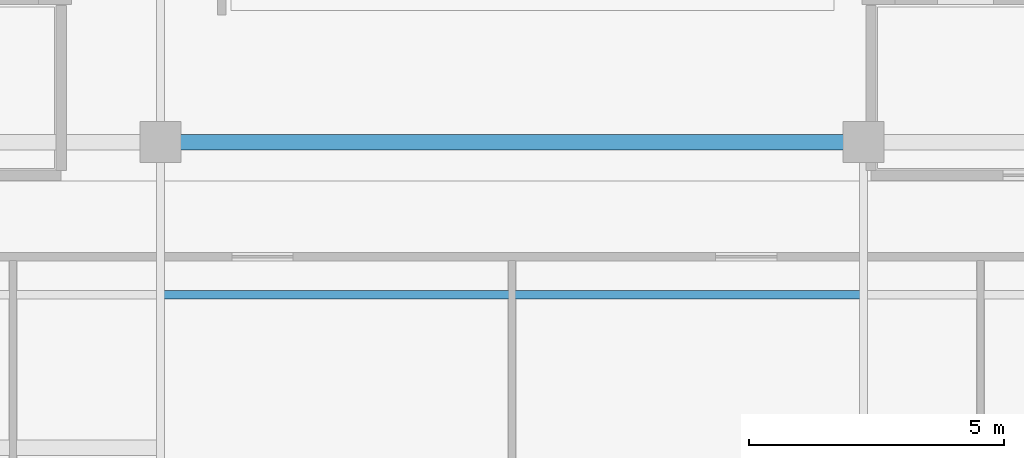
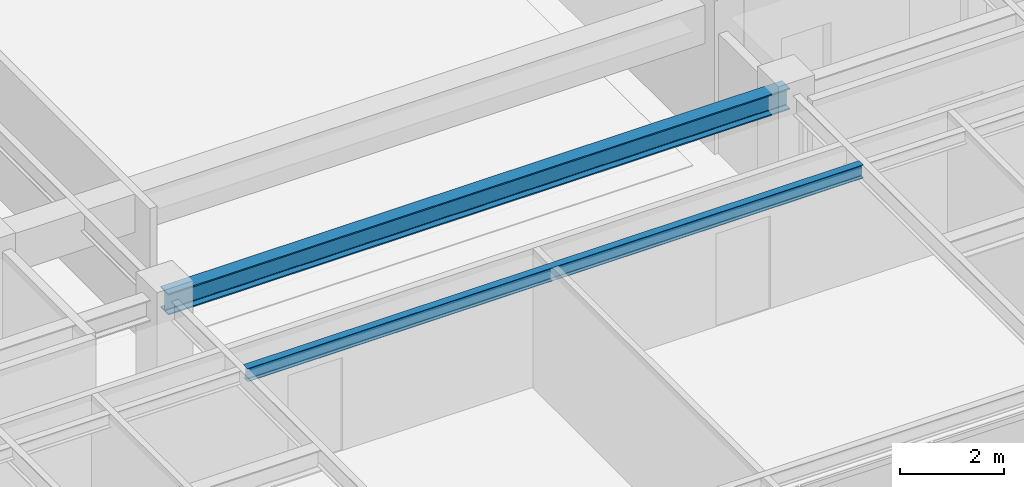
# One storey, part 6 of 25: 2 beams.
"""IFC4 building model written with IfcOpenShell, lengths in metres."""

from ifc_helpers import new_model, si_unit, direction, frame, origin, origin_2d, place, context, subcontext, project, spatial, i_section, extrude, source, transform, mapped, material, material_profile, profile_set, type_object, element, save


model = new_model("IFC4")

# Units and contexts
model_context = context("Model", 3, precision=1e-05, world=origin(), true_north=direction((0.0, 1.0)))
body_context = subcontext(model_context, "Body", "Model", "MODEL_VIEW")
ifc_project = project(units=[si_unit("LENGTHUNIT", "METRE"), si_unit("AREAUNIT", "SQUARE_METRE"), si_unit("VOLUMEUNIT", "CUBIC_METRE"), si_unit("PLANEANGLEUNIT", "RADIAN"), si_unit("MASSUNIT", "GRAM", prefix="KILO")], contexts=[model_context])

# Site, building, storey
site_placement = place(None, origin())
site = spatial("IfcSite", under=ifc_project, at=site_placement, CompositionType="ELEMENT")
building_placement = place(site_placement, origin())
building = spatial("IfcBuilding", under=site, at=building_placement, Name="Khoralis Quay Care Tower", CompositionType="ELEMENT")
storey_placement = place(building_placement, frame((0.0, 0.0, 216.89990234375)))
storey = spatial("IfcBuildingStorey", under=building, at=storey_placement, Name="L57", CompositionType="ELEMENT", Elevation=216.89990234375)

# Beams
ifc_material = material(Name="Steel S355", Category="steel")
ifc_material_profile_1 = material_profile(ifc_material, i_section(OverallWidth=0.300048828125, OverallDepth=0.5, WebThickness=0.014404296875, FlangeThickness=0.028076171875, FilletRadius=0.027099609375, at=origin_2d()), Name="Steel S355")
ifc_profile_set_1 = profile_set([ifc_material_profile_1], Name="Steel S355")
beam_type_1 = type_object("IfcBeamType", Name="BM-HEB500", PredefinedType="BEAM", material=ifc_profile_set_1)
shared_shape_1 = source(origin(), body_context, "Body", "SweptSolid", [
    extrude(i_section(OverallWidth=0.300048828125, OverallDepth=0.5, WebThickness=0.014404296875, FlangeThickness=0.028076171875, FilletRadius=0.027099609375, at=origin_2d()), origin(), (0.0, 0.0, 1.0), 13.7998046875),
])
beam_1_placement = place(storey_placement, frame((17.10009765625, 12.0, 3.030029296875), z_axis=(1.0, 0.0, 0.0), x_axis=(0.0, 1.0, 0.0)))
element("IfcBeam", 1, at=beam_1_placement, inside=storey, type_object=beam_type_1, Name="BM-TGCC-L57-120", PredefinedType="BEAM", context=body_context, shape_type="MappedRepresentation", body=[
    mapped(shared_shape_1, transform((0.0, 0.0, 0.0), scale=1.0)),
])
ifc_material_profile_2 = material_profile(ifc_material, i_section(OverallWidth=0.1650390625, OverallDepth=0.31005859375, WebThickness=0.005859375, FlangeThickness=0.009765625, FilletRadius=0.011962890625, at=origin_2d()), Name="Steel S355")
ifc_profile_set_2 = profile_set([ifc_material_profile_2], Name="Steel S355")
beam_type_2 = type_object("IfcBeamType", Name="BM-W310X39", PredefinedType="JOIST", material=ifc_profile_set_2)
shared_shape_2 = source(origin(), body_context, "Body", "SweptSolid", [
    extrude(i_section(OverallWidth=0.1650390625, OverallDepth=0.31005859375, WebThickness=0.005859375, FlangeThickness=0.009765625, FilletRadius=0.011962890625, at=origin_2d()), origin(), (0.0, 0.0, 1.0), 13.669921875),
])
beam_2_placement = place(storey_placement, frame((17.1650390625, 9.0, 3.125), z_axis=(1.0, 0.0, 0.0), x_axis=(0.0, 1.0, 0.0)))
element("IfcBeam", 2, at=beam_2_placement, inside=storey, type_object=beam_type_2, Name="BM-TJS-L57-23", PredefinedType="JOIST", context=body_context, shape_type="MappedRepresentation", body=[
    mapped(shared_shape_2, transform((0.0, 0.0, 0.0), scale=1.0)),
])

save(model, "model.ifc")
